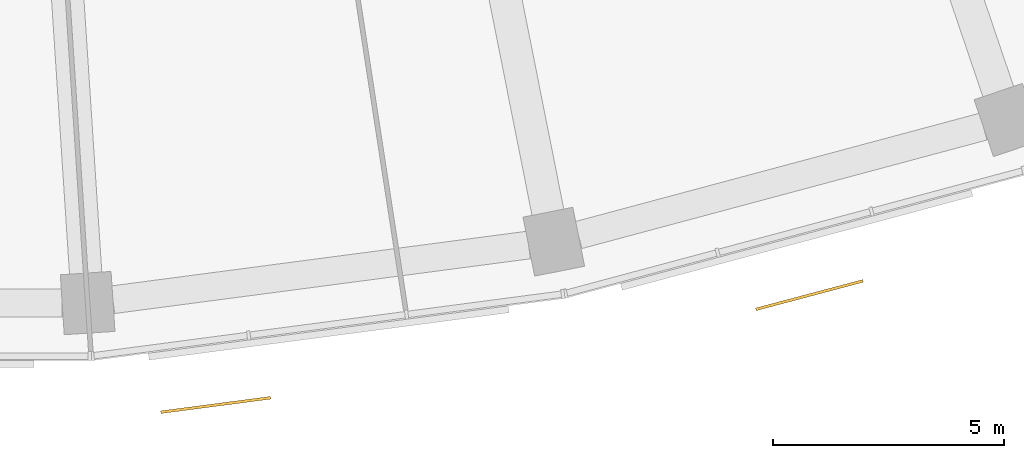
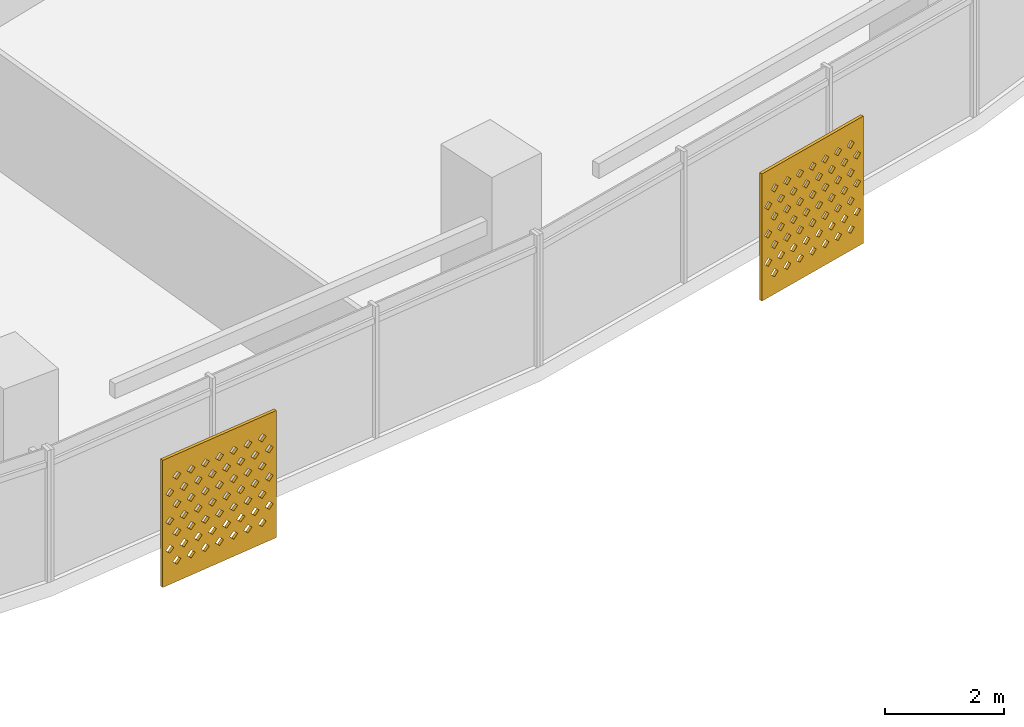
# One storey, part 24 of 26: 2 shading devices.
"""IFC4 building model written with IfcOpenShell, lengths in metres."""

from ifc_helpers import new_model, si_unit, direction, frame, origin, place, context, subcontext, project, spatial, polyline, outline, extrude, material, material_profile, profile_set, type_object, element, save


model = new_model("IFC4")

# Units and contexts
model_context = context("Model", 3, precision=1e-05, world=origin(), true_north=direction((0.0, 1.0)))
body_context = subcontext(model_context, "Body", "Model", "MODEL_VIEW")
ifc_project = project(units=[si_unit("LENGTHUNIT", "METRE"), si_unit("AREAUNIT", "SQUARE_METRE"), si_unit("VOLUMEUNIT", "CUBIC_METRE"), si_unit("PLANEANGLEUNIT", "RADIAN"), si_unit("MASSUNIT", "GRAM", prefix="KILO")], contexts=[model_context])

# Site, building, storey
site_placement = place(None, origin())
site = spatial("IfcSite", under=ifc_project, at=site_placement, CompositionType="ELEMENT")
building_placement = place(site_placement, origin())
building = spatial("IfcBuilding", under=site, at=building_placement, Name="Qamariyya Broadcast Tower", CompositionType="ELEMENT")
storey_placement = place(building_placement, frame((0.0, 0.0, 160.699951171875)))
storey = spatial("IfcBuildingStorey", under=building, at=storey_placement, Name="L37", CompositionType="ELEMENT", Elevation=160.699951171875)

# Shading devices
ifc_material = material(Name="Perforated glazed terracotta", Category="masonry")
ifc_material_profile = material_profile(ifc_material, outline(polyline([(-1.199951171875, -1.300048828125), (1.199951171875, -1.300048828125), (1.199951171875, 1.300048828125), (-1.199951171875, 1.300048828125), (-1.199951171875, -1.300048828125)]), holes=[polyline([(-0.81494140625, -0.86669921875), (-0.89990234375, -0.78173828125), (-0.985107421875, -0.86669921875), (-0.89990234375, -0.95166015625), (-0.81494140625, -0.86669921875)]), polyline([(-0.514892578125, -0.86669921875), (-0.60009765625, -0.78173828125), (-0.68505859375, -0.86669921875), (-0.60009765625, -0.95166015625), (-0.514892578125, -0.86669921875)]), polyline([(-0.215087890625, -0.86669921875), (-0.300048828125, -0.78173828125), (-0.385009765625, -0.86669921875), (-0.300048828125, -0.95166015625), (-0.215087890625, -0.86669921875)]), polyline([(0.0849609375, -0.86669921875), (0.0, -0.78173828125), (-0.0849609375, -0.86669921875), (0.0, -0.95166015625), (0.0849609375, -0.86669921875)]), polyline([(0.385009765625, -0.86669921875), (0.300048828125, -0.78173828125), (0.215087890625, -0.86669921875), (0.300048828125, -0.95166015625), (0.385009765625, -0.86669921875)]), polyline([(0.68505859375, -0.86669921875), (0.60009765625, -0.78173828125), (0.514892578125, -0.86669921875), (0.60009765625, -0.95166015625), (0.68505859375, -0.86669921875)]), polyline([(0.985107421875, -0.86669921875), (0.89990234375, -0.78173828125), (0.81494140625, -0.86669921875), (0.89990234375, -0.95166015625), (0.985107421875, -0.86669921875)]), polyline([(-0.965087890625, -0.577880859375), (-1.050048828125, -0.49267578125), (-1.135009765625, -0.577880859375), (-1.050048828125, -0.662841796875), (-0.965087890625, -0.577880859375)]), polyline([(-0.6650390625, -0.577880859375), (-0.75, -0.49267578125), (-0.8349609375, -0.577880859375), (-0.75, -0.662841796875), (-0.6650390625, -0.577880859375)]), polyline([(-0.364990234375, -0.577880859375), (-0.449951171875, -0.49267578125), (-0.534912109375, -0.577880859375), (-0.449951171875, -0.662841796875), (-0.364990234375, -0.577880859375)]), polyline([(-0.06494140625, -0.577880859375), (-0.14990234375, -0.49267578125), (-0.235107421875, -0.577880859375), (-0.14990234375, -0.662841796875), (-0.06494140625, -0.577880859375)]), polyline([(0.235107421875, -0.577880859375), (0.14990234375, -0.49267578125), (0.06494140625, -0.577880859375), (0.14990234375, -0.662841796875), (0.235107421875, -0.577880859375)]), polyline([(0.534912109375, -0.577880859375), (0.449951171875, -0.49267578125), (0.364990234375, -0.577880859375), (0.449951171875, -0.662841796875), (0.534912109375, -0.577880859375)]), polyline([(0.8349609375, -0.577880859375), (0.75, -0.49267578125), (0.6650390625, -0.577880859375), (0.75, -0.662841796875), (0.8349609375, -0.577880859375)]), polyline([(1.135009765625, -0.577880859375), (1.050048828125, -0.49267578125), (0.965087890625, -0.577880859375), (1.050048828125, -0.662841796875), (1.135009765625, -0.577880859375)]), polyline([(-0.81494140625, -0.288818359375), (-0.89990234375, -0.203857421875), (-0.985107421875, -0.288818359375), (-0.89990234375, -0.373779296875), (-0.81494140625, -0.288818359375)]), polyline([(-0.514892578125, -0.288818359375), (-0.60009765625, -0.203857421875), (-0.68505859375, -0.288818359375), (-0.60009765625, -0.373779296875), (-0.514892578125, -0.288818359375)]), polyline([(-0.215087890625, -0.288818359375), (-0.300048828125, -0.203857421875), (-0.385009765625, -0.288818359375), (-0.300048828125, -0.373779296875), (-0.215087890625, -0.288818359375)]), polyline([(0.0849609375, -0.288818359375), (0.0, -0.203857421875), (-0.0849609375, -0.288818359375), (0.0, -0.373779296875), (0.0849609375, -0.288818359375)]), polyline([(0.385009765625, -0.288818359375), (0.300048828125, -0.203857421875), (0.215087890625, -0.288818359375), (0.300048828125, -0.373779296875), (0.385009765625, -0.288818359375)]), polyline([(0.68505859375, -0.288818359375), (0.60009765625, -0.203857421875), (0.514892578125, -0.288818359375), (0.60009765625, -0.373779296875), (0.68505859375, -0.288818359375)]), polyline([(0.985107421875, -0.288818359375), (0.89990234375, -0.203857421875), (0.81494140625, -0.288818359375), (0.89990234375, -0.373779296875), (0.985107421875, -0.288818359375)]), polyline([(-0.965087890625, 0.0), (-1.050048828125, 0.0849609375), (-1.135009765625, 0.0), (-1.050048828125, -0.0849609375), (-0.965087890625, 0.0)]), polyline([(-0.6650390625, 0.0), (-0.75, 0.0849609375), (-0.8349609375, 0.0), (-0.75, -0.0849609375), (-0.6650390625, 0.0)]), polyline([(-0.364990234375, 0.0), (-0.449951171875, 0.0849609375), (-0.534912109375, 0.0), (-0.449951171875, -0.0849609375), (-0.364990234375, 0.0)]), polyline([(-0.06494140625, 0.0), (-0.14990234375, 0.0849609375), (-0.235107421875, 0.0), (-0.14990234375, -0.0849609375), (-0.06494140625, 0.0)]), polyline([(0.235107421875, 0.0), (0.14990234375, 0.0849609375), (0.06494140625, 0.0), (0.14990234375, -0.0849609375), (0.235107421875, 0.0)]), polyline([(0.534912109375, 0.0), (0.449951171875, 0.0849609375), (0.364990234375, 0.0), (0.449951171875, -0.0849609375), (0.534912109375, 0.0)]), polyline([(0.8349609375, 0.0), (0.75, 0.0849609375), (0.6650390625, 0.0), (0.75, -0.0849609375), (0.8349609375, 0.0)]), polyline([(1.135009765625, 0.0), (1.050048828125, 0.0849609375), (0.965087890625, 0.0), (1.050048828125, -0.0849609375), (1.135009765625, 0.0)]), polyline([(-0.81494140625, 0.288818359375), (-0.89990234375, 0.373779296875), (-0.985107421875, 0.288818359375), (-0.89990234375, 0.203857421875), (-0.81494140625, 0.288818359375)]), polyline([(-0.514892578125, 0.288818359375), (-0.60009765625, 0.373779296875), (-0.68505859375, 0.288818359375), (-0.60009765625, 0.203857421875), (-0.514892578125, 0.288818359375)]), polyline([(-0.215087890625, 0.288818359375), (-0.300048828125, 0.373779296875), (-0.385009765625, 0.288818359375), (-0.300048828125, 0.203857421875), (-0.215087890625, 0.288818359375)]), polyline([(0.0849609375, 0.288818359375), (0.0, 0.373779296875), (-0.0849609375, 0.288818359375), (0.0, 0.203857421875), (0.0849609375, 0.288818359375)]), polyline([(0.385009765625, 0.288818359375), (0.300048828125, 0.373779296875), (0.215087890625, 0.288818359375), (0.300048828125, 0.203857421875), (0.385009765625, 0.288818359375)]), polyline([(0.68505859375, 0.288818359375), (0.60009765625, 0.373779296875), (0.514892578125, 0.288818359375), (0.60009765625, 0.203857421875), (0.68505859375, 0.288818359375)]), polyline([(0.985107421875, 0.288818359375), (0.89990234375, 0.373779296875), (0.81494140625, 0.288818359375), (0.89990234375, 0.203857421875), (0.985107421875, 0.288818359375)]), polyline([(-0.965087890625, 0.577880859375), (-1.050048828125, 0.662841796875), (-1.135009765625, 0.577880859375), (-1.050048828125, 0.49267578125), (-0.965087890625, 0.577880859375)]), polyline([(-0.6650390625, 0.577880859375), (-0.75, 0.662841796875), (-0.8349609375, 0.577880859375), (-0.75, 0.49267578125), (-0.6650390625, 0.577880859375)]), polyline([(-0.364990234375, 0.577880859375), (-0.449951171875, 0.662841796875), (-0.534912109375, 0.577880859375), (-0.449951171875, 0.49267578125), (-0.364990234375, 0.577880859375)]), polyline([(-0.06494140625, 0.577880859375), (-0.14990234375, 0.662841796875), (-0.235107421875, 0.577880859375), (-0.14990234375, 0.49267578125), (-0.06494140625, 0.577880859375)]), polyline([(0.235107421875, 0.577880859375), (0.14990234375, 0.662841796875), (0.06494140625, 0.577880859375), (0.14990234375, 0.49267578125), (0.235107421875, 0.577880859375)]), polyline([(0.534912109375, 0.577880859375), (0.449951171875, 0.662841796875), (0.364990234375, 0.577880859375), (0.449951171875, 0.49267578125), (0.534912109375, 0.577880859375)]), polyline([(0.8349609375, 0.577880859375), (0.75, 0.662841796875), (0.6650390625, 0.577880859375), (0.75, 0.49267578125), (0.8349609375, 0.577880859375)]), polyline([(1.135009765625, 0.577880859375), (1.050048828125, 0.662841796875), (0.965087890625, 0.577880859375), (1.050048828125, 0.49267578125), (1.135009765625, 0.577880859375)]), polyline([(-0.81494140625, 0.86669921875), (-0.89990234375, 0.95166015625), (-0.985107421875, 0.86669921875), (-0.89990234375, 0.78173828125), (-0.81494140625, 0.86669921875)]), polyline([(-0.514892578125, 0.86669921875), (-0.60009765625, 0.95166015625), (-0.68505859375, 0.86669921875), (-0.60009765625, 0.78173828125), (-0.514892578125, 0.86669921875)]), polyline([(-0.215087890625, 0.86669921875), (-0.300048828125, 0.95166015625), (-0.385009765625, 0.86669921875), (-0.300048828125, 0.78173828125), (-0.215087890625, 0.86669921875)]), polyline([(0.0849609375, 0.86669921875), (0.0, 0.95166015625), (-0.0849609375, 0.86669921875), (0.0, 0.78173828125), (0.0849609375, 0.86669921875)]), polyline([(0.385009765625, 0.86669921875), (0.300048828125, 0.95166015625), (0.215087890625, 0.86669921875), (0.300048828125, 0.78173828125), (0.385009765625, 0.86669921875)]), polyline([(0.68505859375, 0.86669921875), (0.60009765625, 0.95166015625), (0.514892578125, 0.86669921875), (0.60009765625, 0.78173828125), (0.68505859375, 0.86669921875)]), polyline([(0.985107421875, 0.86669921875), (0.89990234375, 0.95166015625), (0.81494140625, 0.86669921875), (0.89990234375, 0.78173828125), (0.985107421875, 0.86669921875)])]))
ifc_profile_set = profile_set([ifc_material_profile], Name="Perforated glazed terracotta")
shading_device_type = type_object("IfcShadingDeviceType", Name="Perforated terracotta screen 2400 x 2600", PredefinedType="USERDEFINED", material=ifc_profile_set)
shading_device_1_placement = place(storey_placement, frame((7.8525390625, -79.75830078125, 1.35009765625), z_axis=(0.13056005306, -0.991440402921, 0.0), x_axis=(0.991440402921, 0.13056005306, 0.0)))
element("IfcShadingDevice", 1, at=shading_device_1_placement, inside=storey, type_object=shading_device_type, Name="e-scr-L37-08-0", ObjectType="SCREEN", PredefinedType="USERDEFINED", context=body_context, shape_type="SweptSolid", body=[
    extrude(outline(polyline([(-1.199951171875, -1.300048828125), (1.199951171875, -1.300048828125), (1.199951171875, 1.300048828125), (-1.199951171875, 1.300048828125), (-1.199951171875, -1.300048828125)]), holes=[polyline([(-0.81494140625, -0.86669921875), (-0.89990234375, -0.78173828125), (-0.985107421875, -0.86669921875), (-0.89990234375, -0.95166015625), (-0.81494140625, -0.86669921875)]), polyline([(-0.514892578125, -0.86669921875), (-0.60009765625, -0.78173828125), (-0.68505859375, -0.86669921875), (-0.60009765625, -0.95166015625), (-0.514892578125, -0.86669921875)]), polyline([(-0.215087890625, -0.86669921875), (-0.300048828125, -0.78173828125), (-0.385009765625, -0.86669921875), (-0.300048828125, -0.95166015625), (-0.215087890625, -0.86669921875)]), polyline([(0.0849609375, -0.86669921875), (0.0, -0.78173828125), (-0.0849609375, -0.86669921875), (0.0, -0.95166015625), (0.0849609375, -0.86669921875)]), polyline([(0.385009765625, -0.86669921875), (0.300048828125, -0.78173828125), (0.215087890625, -0.86669921875), (0.300048828125, -0.95166015625), (0.385009765625, -0.86669921875)]), polyline([(0.68505859375, -0.86669921875), (0.60009765625, -0.78173828125), (0.514892578125, -0.86669921875), (0.60009765625, -0.95166015625), (0.68505859375, -0.86669921875)]), polyline([(0.985107421875, -0.86669921875), (0.89990234375, -0.78173828125), (0.81494140625, -0.86669921875), (0.89990234375, -0.95166015625), (0.985107421875, -0.86669921875)]), polyline([(-0.965087890625, -0.577880859375), (-1.050048828125, -0.49267578125), (-1.135009765625, -0.577880859375), (-1.050048828125, -0.662841796875), (-0.965087890625, -0.577880859375)]), polyline([(-0.6650390625, -0.577880859375), (-0.75, -0.49267578125), (-0.8349609375, -0.577880859375), (-0.75, -0.662841796875), (-0.6650390625, -0.577880859375)]), polyline([(-0.364990234375, -0.577880859375), (-0.449951171875, -0.49267578125), (-0.534912109375, -0.577880859375), (-0.449951171875, -0.662841796875), (-0.364990234375, -0.577880859375)]), polyline([(-0.06494140625, -0.577880859375), (-0.14990234375, -0.49267578125), (-0.235107421875, -0.577880859375), (-0.14990234375, -0.662841796875), (-0.06494140625, -0.577880859375)]), polyline([(0.235107421875, -0.577880859375), (0.14990234375, -0.49267578125), (0.06494140625, -0.577880859375), (0.14990234375, -0.662841796875), (0.235107421875, -0.577880859375)]), polyline([(0.534912109375, -0.577880859375), (0.449951171875, -0.49267578125), (0.364990234375, -0.577880859375), (0.449951171875, -0.662841796875), (0.534912109375, -0.577880859375)]), polyline([(0.8349609375, -0.577880859375), (0.75, -0.49267578125), (0.6650390625, -0.577880859375), (0.75, -0.662841796875), (0.8349609375, -0.577880859375)]), polyline([(1.135009765625, -0.577880859375), (1.050048828125, -0.49267578125), (0.965087890625, -0.577880859375), (1.050048828125, -0.662841796875), (1.135009765625, -0.577880859375)]), polyline([(-0.81494140625, -0.288818359375), (-0.89990234375, -0.203857421875), (-0.985107421875, -0.288818359375), (-0.89990234375, -0.373779296875), (-0.81494140625, -0.288818359375)]), polyline([(-0.514892578125, -0.288818359375), (-0.60009765625, -0.203857421875), (-0.68505859375, -0.288818359375), (-0.60009765625, -0.373779296875), (-0.514892578125, -0.288818359375)]), polyline([(-0.215087890625, -0.288818359375), (-0.300048828125, -0.203857421875), (-0.385009765625, -0.288818359375), (-0.300048828125, -0.373779296875), (-0.215087890625, -0.288818359375)]), polyline([(0.0849609375, -0.288818359375), (0.0, -0.203857421875), (-0.0849609375, -0.288818359375), (0.0, -0.373779296875), (0.0849609375, -0.288818359375)]), polyline([(0.385009765625, -0.288818359375), (0.300048828125, -0.203857421875), (0.215087890625, -0.288818359375), (0.300048828125, -0.373779296875), (0.385009765625, -0.288818359375)]), polyline([(0.68505859375, -0.288818359375), (0.60009765625, -0.203857421875), (0.514892578125, -0.288818359375), (0.60009765625, -0.373779296875), (0.68505859375, -0.288818359375)]), polyline([(0.985107421875, -0.288818359375), (0.89990234375, -0.203857421875), (0.81494140625, -0.288818359375), (0.89990234375, -0.373779296875), (0.985107421875, -0.288818359375)]), polyline([(-0.965087890625, 0.0), (-1.050048828125, 0.0849609375), (-1.135009765625, 0.0), (-1.050048828125, -0.0849609375), (-0.965087890625, 0.0)]), polyline([(-0.6650390625, 0.0), (-0.75, 0.0849609375), (-0.8349609375, 0.0), (-0.75, -0.0849609375), (-0.6650390625, 0.0)]), polyline([(-0.364990234375, 0.0), (-0.449951171875, 0.0849609375), (-0.534912109375, 0.0), (-0.449951171875, -0.0849609375), (-0.364990234375, 0.0)]), polyline([(-0.06494140625, 0.0), (-0.14990234375, 0.0849609375), (-0.235107421875, 0.0), (-0.14990234375, -0.0849609375), (-0.06494140625, 0.0)]), polyline([(0.235107421875, 0.0), (0.14990234375, 0.0849609375), (0.06494140625, 0.0), (0.14990234375, -0.0849609375), (0.235107421875, 0.0)]), polyline([(0.534912109375, 0.0), (0.449951171875, 0.0849609375), (0.364990234375, 0.0), (0.449951171875, -0.0849609375), (0.534912109375, 0.0)]), polyline([(0.8349609375, 0.0), (0.75, 0.0849609375), (0.6650390625, 0.0), (0.75, -0.0849609375), (0.8349609375, 0.0)]), polyline([(1.135009765625, 0.0), (1.050048828125, 0.0849609375), (0.965087890625, 0.0), (1.050048828125, -0.0849609375), (1.135009765625, 0.0)]), polyline([(-0.81494140625, 0.288818359375), (-0.89990234375, 0.373779296875), (-0.985107421875, 0.288818359375), (-0.89990234375, 0.203857421875), (-0.81494140625, 0.288818359375)]), polyline([(-0.514892578125, 0.288818359375), (-0.60009765625, 0.373779296875), (-0.68505859375, 0.288818359375), (-0.60009765625, 0.203857421875), (-0.514892578125, 0.288818359375)]), polyline([(-0.215087890625, 0.288818359375), (-0.300048828125, 0.373779296875), (-0.385009765625, 0.288818359375), (-0.300048828125, 0.203857421875), (-0.215087890625, 0.288818359375)]), polyline([(0.0849609375, 0.288818359375), (0.0, 0.373779296875), (-0.0849609375, 0.288818359375), (0.0, 0.203857421875), (0.0849609375, 0.288818359375)]), polyline([(0.385009765625, 0.288818359375), (0.300048828125, 0.373779296875), (0.215087890625, 0.288818359375), (0.300048828125, 0.203857421875), (0.385009765625, 0.288818359375)]), polyline([(0.68505859375, 0.288818359375), (0.60009765625, 0.373779296875), (0.514892578125, 0.288818359375), (0.60009765625, 0.203857421875), (0.68505859375, 0.288818359375)]), polyline([(0.985107421875, 0.288818359375), (0.89990234375, 0.373779296875), (0.81494140625, 0.288818359375), (0.89990234375, 0.203857421875), (0.985107421875, 0.288818359375)]), polyline([(-0.965087890625, 0.577880859375), (-1.050048828125, 0.662841796875), (-1.135009765625, 0.577880859375), (-1.050048828125, 0.49267578125), (-0.965087890625, 0.577880859375)]), polyline([(-0.6650390625, 0.577880859375), (-0.75, 0.662841796875), (-0.8349609375, 0.577880859375), (-0.75, 0.49267578125), (-0.6650390625, 0.577880859375)]), polyline([(-0.364990234375, 0.577880859375), (-0.449951171875, 0.662841796875), (-0.534912109375, 0.577880859375), (-0.449951171875, 0.49267578125), (-0.364990234375, 0.577880859375)]), polyline([(-0.06494140625, 0.577880859375), (-0.14990234375, 0.662841796875), (-0.235107421875, 0.577880859375), (-0.14990234375, 0.49267578125), (-0.06494140625, 0.577880859375)]), polyline([(0.235107421875, 0.577880859375), (0.14990234375, 0.662841796875), (0.06494140625, 0.577880859375), (0.14990234375, 0.49267578125), (0.235107421875, 0.577880859375)]), polyline([(0.534912109375, 0.577880859375), (0.449951171875, 0.662841796875), (0.364990234375, 0.577880859375), (0.449951171875, 0.49267578125), (0.534912109375, 0.577880859375)]), polyline([(0.8349609375, 0.577880859375), (0.75, 0.662841796875), (0.6650390625, 0.577880859375), (0.75, 0.49267578125), (0.8349609375, 0.577880859375)]), polyline([(1.135009765625, 0.577880859375), (1.050048828125, 0.662841796875), (0.965087890625, 0.577880859375), (1.050048828125, 0.49267578125), (1.135009765625, 0.577880859375)]), polyline([(-0.81494140625, 0.86669921875), (-0.89990234375, 0.95166015625), (-0.985107421875, 0.86669921875), (-0.89990234375, 0.78173828125), (-0.81494140625, 0.86669921875)]), polyline([(-0.514892578125, 0.86669921875), (-0.60009765625, 0.95166015625), (-0.68505859375, 0.86669921875), (-0.60009765625, 0.78173828125), (-0.514892578125, 0.86669921875)]), polyline([(-0.215087890625, 0.86669921875), (-0.300048828125, 0.95166015625), (-0.385009765625, 0.86669921875), (-0.300048828125, 0.78173828125), (-0.215087890625, 0.86669921875)]), polyline([(0.0849609375, 0.86669921875), (0.0, 0.95166015625), (-0.0849609375, 0.86669921875), (0.0, 0.78173828125), (0.0849609375, 0.86669921875)]), polyline([(0.385009765625, 0.86669921875), (0.300048828125, 0.95166015625), (0.215087890625, 0.86669921875), (0.300048828125, 0.78173828125), (0.385009765625, 0.86669921875)]), polyline([(0.68505859375, 0.86669921875), (0.60009765625, 0.95166015625), (0.514892578125, 0.86669921875), (0.60009765625, 0.78173828125), (0.68505859375, 0.86669921875)]), polyline([(0.985107421875, 0.86669921875), (0.89990234375, 0.95166015625), (0.81494140625, 0.86669921875), (0.89990234375, 0.78173828125), (0.985107421875, 0.86669921875)])]), origin(), (0.0, 0.0, 1.0), 0.059814453125),
])
shading_device_2_placement = place(storey_placement, frame((20.69140625, -77.38232421875, 1.35009765625), z_axis=(0.256901156343, -0.966437683387, 0.0), x_axis=(0.966437683387, 0.256901156343, 0.0)))
element("IfcShadingDevice", 2, at=shading_device_2_placement, inside=storey, type_object=shading_device_type, Name="e-scr-L37-09-1", ObjectType="SCREEN", PredefinedType="USERDEFINED", context=body_context, shape_type="SweptSolid", body=[
    extrude(outline(polyline([(-1.199951171875, -1.300048828125), (1.199951171875, -1.300048828125), (1.199951171875, 1.300048828125), (-1.199951171875, 1.300048828125), (-1.199951171875, -1.300048828125)]), holes=[polyline([(-0.81494140625, -0.86669921875), (-0.89990234375, -0.78173828125), (-0.985107421875, -0.86669921875), (-0.89990234375, -0.95166015625), (-0.81494140625, -0.86669921875)]), polyline([(-0.514892578125, -0.86669921875), (-0.60009765625, -0.78173828125), (-0.68505859375, -0.86669921875), (-0.60009765625, -0.95166015625), (-0.514892578125, -0.86669921875)]), polyline([(-0.215087890625, -0.86669921875), (-0.300048828125, -0.78173828125), (-0.385009765625, -0.86669921875), (-0.300048828125, -0.95166015625), (-0.215087890625, -0.86669921875)]), polyline([(0.0849609375, -0.86669921875), (0.0, -0.78173828125), (-0.0849609375, -0.86669921875), (0.0, -0.95166015625), (0.0849609375, -0.86669921875)]), polyline([(0.385009765625, -0.86669921875), (0.300048828125, -0.78173828125), (0.215087890625, -0.86669921875), (0.300048828125, -0.95166015625), (0.385009765625, -0.86669921875)]), polyline([(0.68505859375, -0.86669921875), (0.60009765625, -0.78173828125), (0.514892578125, -0.86669921875), (0.60009765625, -0.95166015625), (0.68505859375, -0.86669921875)]), polyline([(0.985107421875, -0.86669921875), (0.89990234375, -0.78173828125), (0.81494140625, -0.86669921875), (0.89990234375, -0.95166015625), (0.985107421875, -0.86669921875)]), polyline([(-0.965087890625, -0.577880859375), (-1.050048828125, -0.49267578125), (-1.135009765625, -0.577880859375), (-1.050048828125, -0.662841796875), (-0.965087890625, -0.577880859375)]), polyline([(-0.6650390625, -0.577880859375), (-0.75, -0.49267578125), (-0.8349609375, -0.577880859375), (-0.75, -0.662841796875), (-0.6650390625, -0.577880859375)]), polyline([(-0.364990234375, -0.577880859375), (-0.449951171875, -0.49267578125), (-0.534912109375, -0.577880859375), (-0.449951171875, -0.662841796875), (-0.364990234375, -0.577880859375)]), polyline([(-0.06494140625, -0.577880859375), (-0.14990234375, -0.49267578125), (-0.235107421875, -0.577880859375), (-0.14990234375, -0.662841796875), (-0.06494140625, -0.577880859375)]), polyline([(0.235107421875, -0.577880859375), (0.14990234375, -0.49267578125), (0.06494140625, -0.577880859375), (0.14990234375, -0.662841796875), (0.235107421875, -0.577880859375)]), polyline([(0.534912109375, -0.577880859375), (0.449951171875, -0.49267578125), (0.364990234375, -0.577880859375), (0.449951171875, -0.662841796875), (0.534912109375, -0.577880859375)]), polyline([(0.8349609375, -0.577880859375), (0.75, -0.49267578125), (0.6650390625, -0.577880859375), (0.75, -0.662841796875), (0.8349609375, -0.577880859375)]), polyline([(1.135009765625, -0.577880859375), (1.050048828125, -0.49267578125), (0.965087890625, -0.577880859375), (1.050048828125, -0.662841796875), (1.135009765625, -0.577880859375)]), polyline([(-0.81494140625, -0.288818359375), (-0.89990234375, -0.203857421875), (-0.985107421875, -0.288818359375), (-0.89990234375, -0.373779296875), (-0.81494140625, -0.288818359375)]), polyline([(-0.514892578125, -0.288818359375), (-0.60009765625, -0.203857421875), (-0.68505859375, -0.288818359375), (-0.60009765625, -0.373779296875), (-0.514892578125, -0.288818359375)]), polyline([(-0.215087890625, -0.288818359375), (-0.300048828125, -0.203857421875), (-0.385009765625, -0.288818359375), (-0.300048828125, -0.373779296875), (-0.215087890625, -0.288818359375)]), polyline([(0.0849609375, -0.288818359375), (0.0, -0.203857421875), (-0.0849609375, -0.288818359375), (0.0, -0.373779296875), (0.0849609375, -0.288818359375)]), polyline([(0.385009765625, -0.288818359375), (0.300048828125, -0.203857421875), (0.215087890625, -0.288818359375), (0.300048828125, -0.373779296875), (0.385009765625, -0.288818359375)]), polyline([(0.68505859375, -0.288818359375), (0.60009765625, -0.203857421875), (0.514892578125, -0.288818359375), (0.60009765625, -0.373779296875), (0.68505859375, -0.288818359375)]), polyline([(0.985107421875, -0.288818359375), (0.89990234375, -0.203857421875), (0.81494140625, -0.288818359375), (0.89990234375, -0.373779296875), (0.985107421875, -0.288818359375)]), polyline([(-0.965087890625, 0.0), (-1.050048828125, 0.0849609375), (-1.135009765625, 0.0), (-1.050048828125, -0.0849609375), (-0.965087890625, 0.0)]), polyline([(-0.6650390625, 0.0), (-0.75, 0.0849609375), (-0.8349609375, 0.0), (-0.75, -0.0849609375), (-0.6650390625, 0.0)]), polyline([(-0.364990234375, 0.0), (-0.449951171875, 0.0849609375), (-0.534912109375, 0.0), (-0.449951171875, -0.0849609375), (-0.364990234375, 0.0)]), polyline([(-0.06494140625, 0.0), (-0.14990234375, 0.0849609375), (-0.235107421875, 0.0), (-0.14990234375, -0.0849609375), (-0.06494140625, 0.0)]), polyline([(0.235107421875, 0.0), (0.14990234375, 0.0849609375), (0.06494140625, 0.0), (0.14990234375, -0.0849609375), (0.235107421875, 0.0)]), polyline([(0.534912109375, 0.0), (0.449951171875, 0.0849609375), (0.364990234375, 0.0), (0.449951171875, -0.0849609375), (0.534912109375, 0.0)]), polyline([(0.8349609375, 0.0), (0.75, 0.0849609375), (0.6650390625, 0.0), (0.75, -0.0849609375), (0.8349609375, 0.0)]), polyline([(1.135009765625, 0.0), (1.050048828125, 0.0849609375), (0.965087890625, 0.0), (1.050048828125, -0.0849609375), (1.135009765625, 0.0)]), polyline([(-0.81494140625, 0.288818359375), (-0.89990234375, 0.373779296875), (-0.985107421875, 0.288818359375), (-0.89990234375, 0.203857421875), (-0.81494140625, 0.288818359375)]), polyline([(-0.514892578125, 0.288818359375), (-0.60009765625, 0.373779296875), (-0.68505859375, 0.288818359375), (-0.60009765625, 0.203857421875), (-0.514892578125, 0.288818359375)]), polyline([(-0.215087890625, 0.288818359375), (-0.300048828125, 0.373779296875), (-0.385009765625, 0.288818359375), (-0.300048828125, 0.203857421875), (-0.215087890625, 0.288818359375)]), polyline([(0.0849609375, 0.288818359375), (0.0, 0.373779296875), (-0.0849609375, 0.288818359375), (0.0, 0.203857421875), (0.0849609375, 0.288818359375)]), polyline([(0.385009765625, 0.288818359375), (0.300048828125, 0.373779296875), (0.215087890625, 0.288818359375), (0.300048828125, 0.203857421875), (0.385009765625, 0.288818359375)]), polyline([(0.68505859375, 0.288818359375), (0.60009765625, 0.373779296875), (0.514892578125, 0.288818359375), (0.60009765625, 0.203857421875), (0.68505859375, 0.288818359375)]), polyline([(0.985107421875, 0.288818359375), (0.89990234375, 0.373779296875), (0.81494140625, 0.288818359375), (0.89990234375, 0.203857421875), (0.985107421875, 0.288818359375)]), polyline([(-0.965087890625, 0.577880859375), (-1.050048828125, 0.662841796875), (-1.135009765625, 0.577880859375), (-1.050048828125, 0.49267578125), (-0.965087890625, 0.577880859375)]), polyline([(-0.6650390625, 0.577880859375), (-0.75, 0.662841796875), (-0.8349609375, 0.577880859375), (-0.75, 0.49267578125), (-0.6650390625, 0.577880859375)]), polyline([(-0.364990234375, 0.577880859375), (-0.449951171875, 0.662841796875), (-0.534912109375, 0.577880859375), (-0.449951171875, 0.49267578125), (-0.364990234375, 0.577880859375)]), polyline([(-0.06494140625, 0.577880859375), (-0.14990234375, 0.662841796875), (-0.235107421875, 0.577880859375), (-0.14990234375, 0.49267578125), (-0.06494140625, 0.577880859375)]), polyline([(0.235107421875, 0.577880859375), (0.14990234375, 0.662841796875), (0.06494140625, 0.577880859375), (0.14990234375, 0.49267578125), (0.235107421875, 0.577880859375)]), polyline([(0.534912109375, 0.577880859375), (0.449951171875, 0.662841796875), (0.364990234375, 0.577880859375), (0.449951171875, 0.49267578125), (0.534912109375, 0.577880859375)]), polyline([(0.8349609375, 0.577880859375), (0.75, 0.662841796875), (0.6650390625, 0.577880859375), (0.75, 0.49267578125), (0.8349609375, 0.577880859375)]), polyline([(1.135009765625, 0.577880859375), (1.050048828125, 0.662841796875), (0.965087890625, 0.577880859375), (1.050048828125, 0.49267578125), (1.135009765625, 0.577880859375)]), polyline([(-0.81494140625, 0.86669921875), (-0.89990234375, 0.95166015625), (-0.985107421875, 0.86669921875), (-0.89990234375, 0.78173828125), (-0.81494140625, 0.86669921875)]), polyline([(-0.514892578125, 0.86669921875), (-0.60009765625, 0.95166015625), (-0.68505859375, 0.86669921875), (-0.60009765625, 0.78173828125), (-0.514892578125, 0.86669921875)]), polyline([(-0.215087890625, 0.86669921875), (-0.300048828125, 0.95166015625), (-0.385009765625, 0.86669921875), (-0.300048828125, 0.78173828125), (-0.215087890625, 0.86669921875)]), polyline([(0.0849609375, 0.86669921875), (0.0, 0.95166015625), (-0.0849609375, 0.86669921875), (0.0, 0.78173828125), (0.0849609375, 0.86669921875)]), polyline([(0.385009765625, 0.86669921875), (0.300048828125, 0.95166015625), (0.215087890625, 0.86669921875), (0.300048828125, 0.78173828125), (0.385009765625, 0.86669921875)]), polyline([(0.68505859375, 0.86669921875), (0.60009765625, 0.95166015625), (0.514892578125, 0.86669921875), (0.60009765625, 0.78173828125), (0.68505859375, 0.86669921875)]), polyline([(0.985107421875, 0.86669921875), (0.89990234375, 0.95166015625), (0.81494140625, 0.86669921875), (0.89990234375, 0.78173828125), (0.985107421875, 0.86669921875)])]), origin(), (0.0, 0.0, 1.0), 0.059814453125),
])

save(model, "model.ifc")
